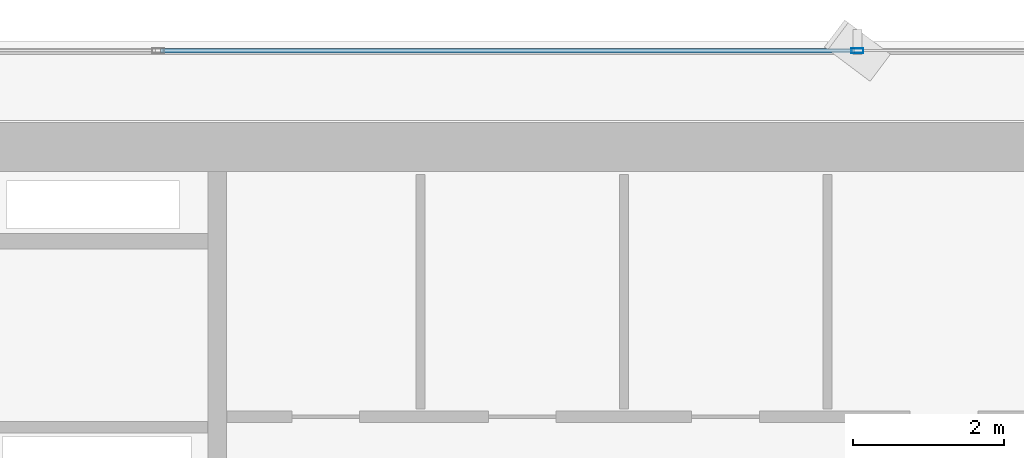
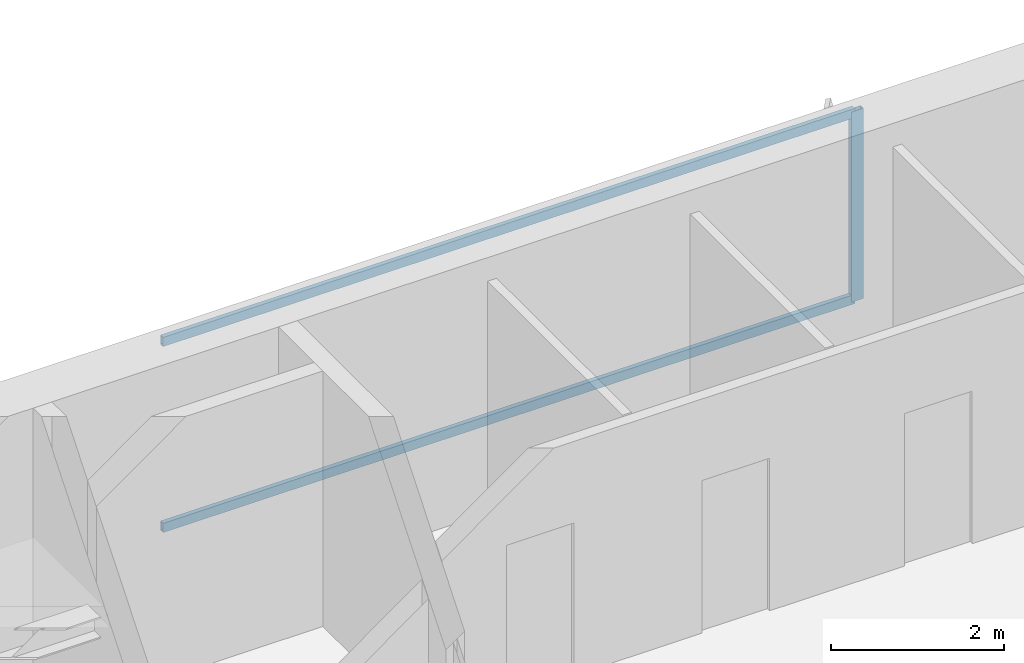
# One storey, part 16 of 28: 3 members, 1 element without a shape of its own.
"""IFC4 building model written with IfcOpenShell, lengths in metres."""

from ifc_helpers import new_model, si_unit, direction, frame, origin, origin_2d, place, context, subcontext, project, spatial, hollow_rectangle, extrude, source, transform, mapped, material, layer, layer_set, material_profile, profile_set, type_object, element, aggregate, save


model = new_model("IFC4")

# Units and contexts
model_context = context("Model", 3, precision=1e-05, world=origin(), true_north=direction((0.0, 1.0)))
body_context = subcontext(model_context, "Body", "Model", "MODEL_VIEW")
ifc_project = project(units=[si_unit("LENGTHUNIT", "METRE"), si_unit("AREAUNIT", "SQUARE_METRE"), si_unit("VOLUMEUNIT", "CUBIC_METRE"), si_unit("PLANEANGLEUNIT", "RADIAN"), si_unit("MASSUNIT", "GRAM", prefix="KILO")], contexts=[model_context])

# Site, building, storey
site_placement = place(None, origin())
site = spatial("IfcSite", under=ifc_project, at=site_placement, CompositionType="ELEMENT")
building_placement = place(site_placement, origin())
building = spatial("IfcBuilding", under=site, at=building_placement, Name="Sumidabori Civic Tower", CompositionType="ELEMENT")
storey_placement = place(building_placement, frame((0.0, 0.0, 185.60009765625)))
storey = spatial("IfcBuildingStorey", under=building, at=storey_placement, Name="L48", CompositionType="ELEMENT", Elevation=185.60009765625)

# Curtain wall, members
ifc_material = material(Name="Anodised Bronze Aluminium AW-6063-T6", Category="aluminium")
ifc_layer = layer(ifc_material, 0.179931640625, Name="Anodised Bronze Aluminium AW-6063-T6")
ifc_layer_set = layer_set([ifc_layer], Name="Anodised Bronze Aluminium AW-6063-T6")
curtain_wall_type = type_object("IfcCurtainWallType", Name="CW-SYS-3", PredefinedType="NOTDEFINED", material=ifc_layer_set)
curtain_wall_placement = place(storey_placement, origin())
curtain_wall = element("IfcCurtainWall", 1, at=curtain_wall_placement, inside=storey, type_object=curtain_wall_type, Name="Curtain Wall CW:L48:R07", PredefinedType="NOTDEFINED")
ifc_material_profile_1 = material_profile(ifc_material, hollow_rectangle(XDim=0.06494140625, YDim=0.159912109375, WallThickness=0.0048828125, at=origin_2d()), Name="ALU MULLION 160x65")
ifc_profile_set_1 = profile_set([ifc_material_profile_1], Name="Anodised Bronze Aluminium AW-6063-T6")
member_type_1 = type_object("IfcMemberType", Name="CW-MUL-160", PredefinedType="MULLION", material=ifc_profile_set_1)
shared_shape_1 = source(origin(), body_context, "Body", "SweptSolid", [
    extrude(hollow_rectangle(XDim=0.06494140625, YDim=0.159912109375, WallThickness=0.0048828125, at=origin_2d()), origin(), (0.0, 0.0, 1.0), 2.679931640625),
])
member_1_placement = place(storey_placement, frame((0.0, 25.080078125, 0.0), z_axis=(0.0, 0.0, 1.0), x_axis=(0.0, -1.0, 0.0)))
member_1 = element("IfcMember", 2, at=member_1_placement, type_object=member_type_1, Name="CW-3 mullion 3", PredefinedType="MULLION", context=body_context, shape_type="MappedRepresentation", body=[
    mapped(shared_shape_1, transform((0.0, 0.0, 0.0), x_axis=(1.0, 0.0, 0.0), y_axis=(0.0, 1.0, 0.0), z_axis=(0.0, 0.0, 1.0), scale=1.0)),
])
ifc_material_profile_2 = material_profile(ifc_material, hollow_rectangle(XDim=0.06005859375, YDim=0.1298828125, WallThickness=0.0048828125, at=origin_2d()), Name="ALU TRANSOM 130x60")
ifc_profile_set_2 = profile_set([ifc_material_profile_2], Name="Anodised Bronze Aluminium AW-6063-T6")
member_type_2 = type_object("IfcMemberType", Name="CW-TRN-130", PredefinedType="USERDEFINED", material=ifc_profile_set_2)
shared_shape_2 = source(origin(), body_context, "Body", "SweptSolid", [
    extrude(hollow_rectangle(XDim=0.06005859375, YDim=0.1298828125, WallThickness=0.0048828125, at=origin_2d()), origin(), (0.0, 0.0, 1.0), 9.219970703125),
])
member_2_placement = place(storey_placement, frame((-0.032470703125, 25.080078125, 0.02978515625), z_axis=(-1.0, 0.0, 0.0), x_axis=(0.0, -1.0, 0.0)))
member_2 = element("IfcMember", 3, at=member_2_placement, type_object=member_type_2, Name="CW-3 transom 3.1", ObjectType="TRANSOM", PredefinedType="USERDEFINED", context=body_context, shape_type="MappedRepresentation", body=[
    mapped(shared_shape_2, transform((0.0, 0.0, 0.0), x_axis=(1.0, 0.0, 0.0), y_axis=(0.0, 1.0, 0.0), z_axis=(0.0, 0.0, 1.0), scale=1.0)),
])
member_3_placement = place(storey_placement, frame((-0.032470703125, 25.080078125, 2.64990234375), z_axis=(-1.0, 0.0, 0.0), x_axis=(0.0, -1.0, 0.0)))
member_3 = element("IfcMember", 4, at=member_3_placement, type_object=member_type_2, Name="CW-3 transom 3.2", ObjectType="TRANSOM", PredefinedType="USERDEFINED", context=body_context, shape_type="MappedRepresentation", body=[
    mapped(shared_shape_2, transform((0.0, 0.0, 0.0), x_axis=(1.0, 0.0, 0.0), y_axis=(0.0, 1.0, 0.0), z_axis=(0.0, 0.0, 1.0), scale=1.0)),
])
aggregate(curtain_wall, [member_1, member_2, member_3])

save(model, "model.ifc")
